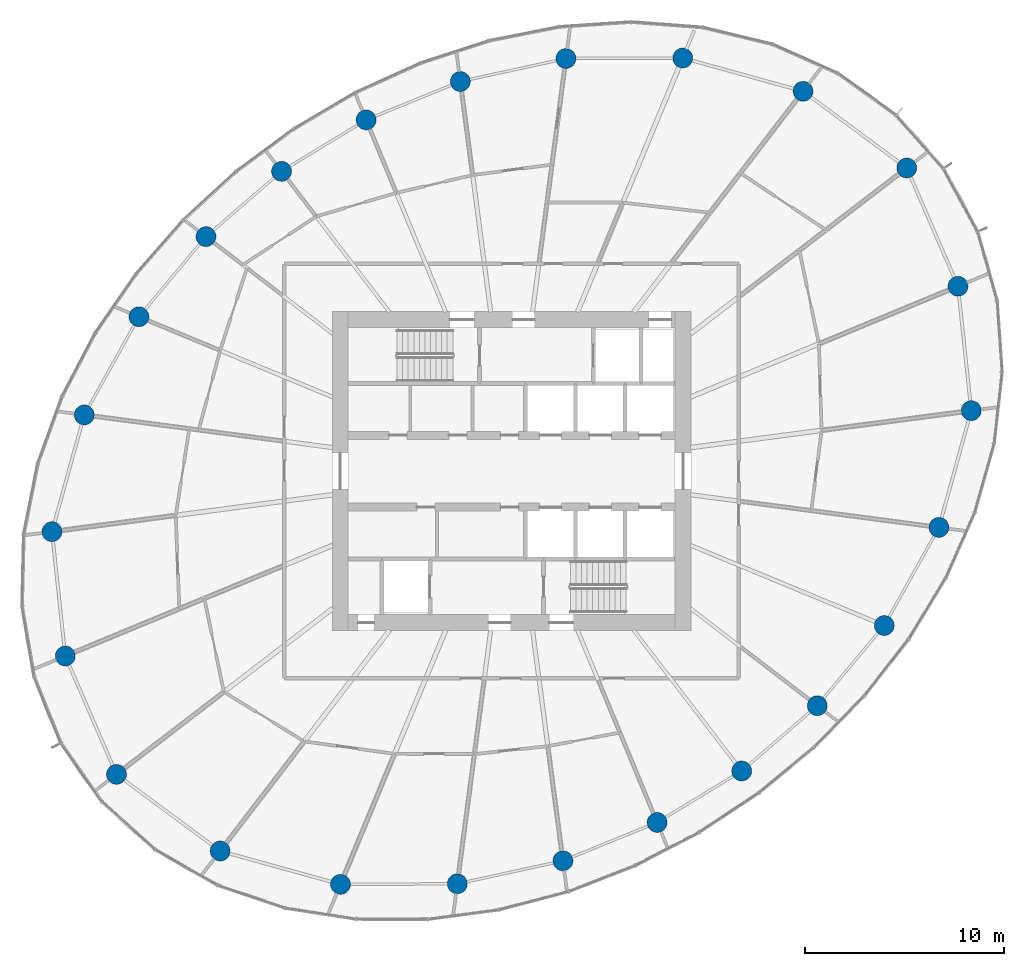
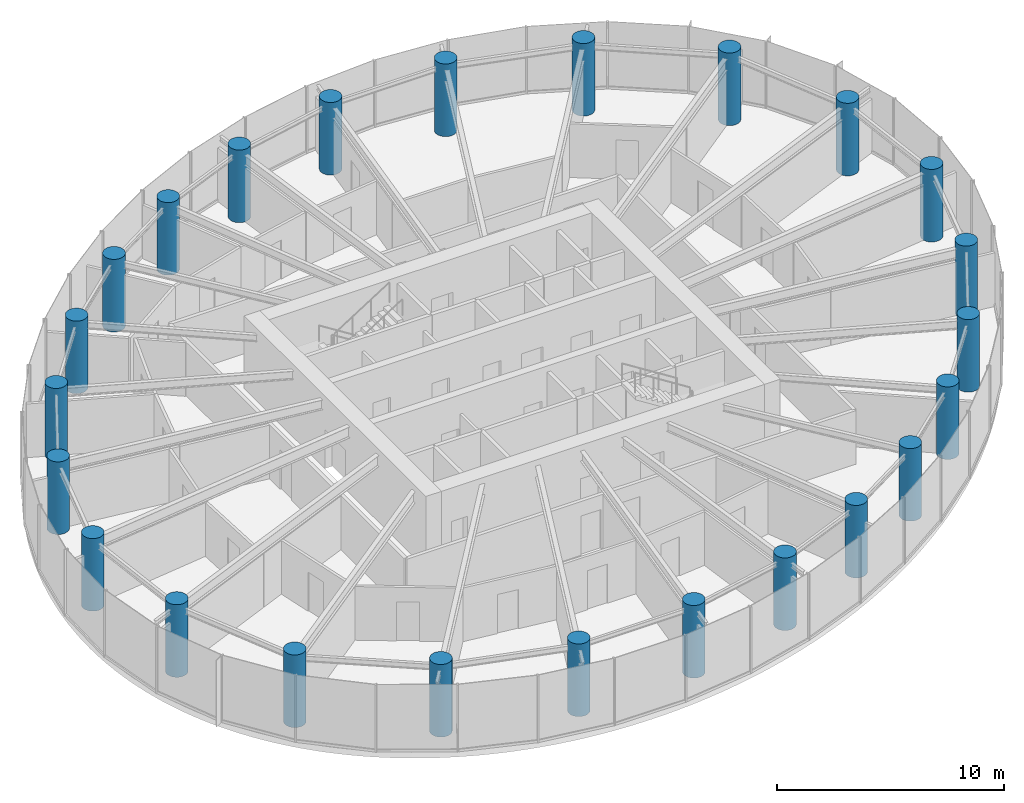
# One storey, part 1 of 15: 24 columns.
"""IFC4 building model written with IfcOpenShell, lengths in metres."""

from ifc_helpers import new_model, si_unit, direction, frame, origin, origin_2d, place, context, subcontext, project, spatial, circle, extrude, source, transform, mapped, material, material_profile, profile_set, type_object, element, save


model = new_model("IFC4")

# Units and contexts
model_context = context("Model", 3, precision=1e-05, world=origin(), true_north=direction((0.0, 1.0)))
body_context = subcontext(model_context, "Body", "Model", "MODEL_VIEW")
ifc_project = project(units=[si_unit("LENGTHUNIT", "METRE"), si_unit("AREAUNIT", "SQUARE_METRE"), si_unit("VOLUMEUNIT", "CUBIC_METRE"), si_unit("PLANEANGLEUNIT", "RADIAN"), si_unit("MASSUNIT", "GRAM", prefix="KILO")], contexts=[model_context])

# Site, building, storey
site_placement = place(None, origin())
site = spatial("IfcSite", under=ifc_project, at=site_placement, CompositionType="ELEMENT")
building_placement = place(site_placement, origin())
building = spatial("IfcBuilding", under=site, at=building_placement, Name="Spindrift Exchange Tower", CompositionType="ELEMENT")
storey_placement = place(building_placement, frame((0.0, 0.0, 168.199951171875)))
storey = spatial("IfcBuildingStorey", under=building, at=storey_placement, Name="L40", CompositionType="ELEMENT", Elevation=168.199951171875)

# Columns
ifc_material = material(Name="Concrete 50 MPa", Category="concrete")
ifc_material_profile = material_profile(ifc_material, circle(Radius=0.5, at=origin_2d()), Name="RC D1000")
ifc_profile_set = profile_set([ifc_material_profile], Name="Concrete 50 MPa")
column_type = type_object("IfcColumnType", Name="RC Perimeter Column D1000 Concrete 50 MPa", PredefinedType="COLUMN", material=ifc_profile_set)
shared_shape = source(origin(), body_context, "Body", "SweptSolid", [
    extrude(circle(Radius=0.5, at=origin_2d()), origin(), (0.0, 0.0, 1.0), 3.900146484375),
])
for number, where, z_axis, x_axis, name in (
    (1, (75.06201171875, 51.0361328125, 0.0), (0.0, 0.0, 1.0), (1.0, 0.0, 0.0), "Perimeter column P3-01 L40"),
    (2, (74.396728515625, 57.277099609375, 0.0), (0.0, 0.0, 1.0), (1.0, 0.0, 0.0), "Perimeter column P3-02 L40"),
    (3, (71.825927734375, 63.212890625, 0.0), (0.0, 0.0, 1.0), (1.0, 0.0, 0.0), "Perimeter column P3-03 L40"),
    (4, (66.625, 67.0595703125, 0.0), (0.0, 0.0, 1.0), (1.0, 0.0, 0.0), "Perimeter column P3-04 L40"),
    (5, (60.5869140625, 68.73095703125, 0.0), (0.0, 0.0, 1.0), (1.0, 0.0, 0.0), "Perimeter column P3-05 L40"),
    (6, (54.725830078125, 68.705322265625, 0.0), (0.0, 0.0, 1.0), (1.0, 0.0, 0.0), "Perimeter column P3-06 L40"),
    (7, (49.426025390625, 67.55126953125, 0.0), (0.0, 0.0, 1.0), (1.0, 0.0, 0.0), "Perimeter column P3-07 L40"),
    (8, (44.69921875, 65.625732421875, 0.0), (0.0, 0.0, 1.0), (1.0, 0.0, 0.0), "Perimeter column P3-08 L40"),
    (9, (40.4560546875, 63.04443359375, 0.0), (0.0, 0.0, 1.0), (1.0, 0.0, 0.0), "Perimeter column P3-09 L40"),
    (10, (36.663818359375, 59.76806640625, 0.0), (0.0, 0.0, 1.0), (1.0, 0.0, 0.0), "Perimeter column P3-10 L40"),
    (11, (33.30078125, 55.74560546875, 0.0), (0.0, 0.0, 1.0), (1.0, 0.0, 0.0), "Perimeter column P3-11 L40"),
    (12, (30.55908203125, 50.82275390625, 0.0), (0.0, 0.0, 1.0), (1.0, 0.0, 0.0), "Perimeter column P3-12 L40"),
    (13, (28.93798828125, 44.9638671875, 0.0), (0.0, 0.0, 1.0), (1.0, 0.0, 0.0), "Perimeter column P3-13 L40"),
    (14, (29.603271484375, 38.722900390625, 0.0), (0.0, 0.0, 1.0), (1.0, 0.0, 0.0), "Perimeter column P3-14 L40"),
    (15, (32.174072265625, 32.787109375, 0.0), (0.0, 0.0, 1.0), (1.0, 0.0, 0.0), "Perimeter column P3-15 L40"),
    (16, (37.375, 28.9404296875, 0.0), (0.0, 0.0, 1.0), (1.0, 0.0, 0.0), "Perimeter column P3-16 L40"),
    (17, (43.4130859375, 27.26904296875, 0.0), (0.0, 0.0, 1.0), (1.0, 0.0, 0.0), "Perimeter column P3-17 L40"),
    (18, (49.274169921875, 27.294677734375, 0.0), (0.0, 0.0, 1.0), (1.0, 0.0, 0.0), "Perimeter column P3-18 L40"),
    (19, (54.573974609375, 28.44873046875, 0.0), (0.0, 0.0, 1.0), (1.0, 0.0, 0.0), "Perimeter column P3-19 L40"),
    (20, (59.30078125, 30.374267578125, 0.0), (0.0, 0.0, 1.0), (1.0, 0.0, 0.0), "Perimeter column P3-20 L40"),
    (21, (63.5439453125, 32.95556640625, 0.0), (0.0, 0.0, 1.0), (1.0, 0.0, 0.0), "Perimeter column P3-21 L40"),
    (22, (67.336181640625, 36.23193359375, 0.0), (0.0, 0.0, 1.0), (1.0, 0.0, 0.0), "Perimeter column P3-22 L40"),
    (23, (70.69921875, 40.25439453125, 0.0), (0.0, 0.0, 1.0), (1.0, 0.0, 0.0), "Perimeter column P3-23 L40"),
    (24, (73.44091796875, 45.17724609375, 0.0), (0.0, 0.0, 1.0), (1.0, 0.0, 0.0), "Perimeter column P3-24 L40"),
):
    element("IfcColumn", number, at=place(storey_placement, frame(where, z_axis=z_axis, x_axis=x_axis)), inside=storey, type_object=column_type, Name=name, PredefinedType="COLUMN", context=body_context, shape_type="MappedRepresentation", body=[
        mapped(shared_shape, transform((0.0, 0.0, 0.0), scale=1.0)),
    ])

save(model, "model.ifc")
